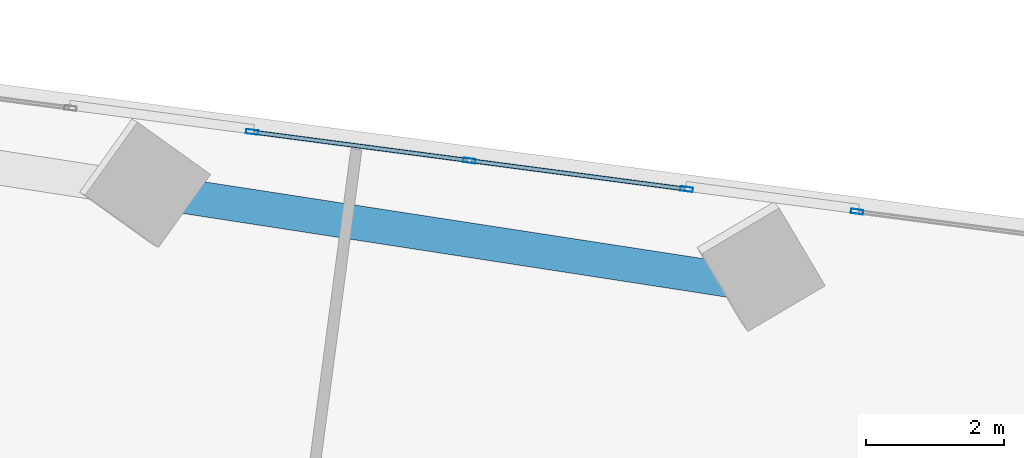
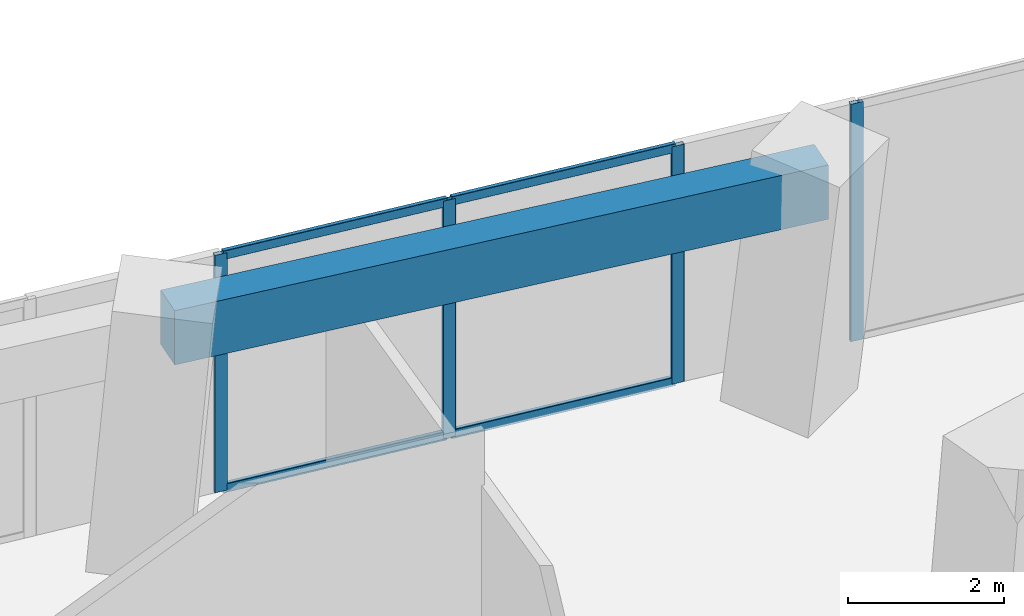
# One storey, part 17 of 24: 8 members, 1 beam, 2 elements without a shape of their own.
"""IFC4 building model written with IfcOpenShell, lengths in metres."""

import ifcopenshell
import ifcopenshell.guid

model = None  # the IFC model being written
_history = None  # IfcOwnerHistory: only IFC2X3 demands one
_inside = {}  # id of a spatial element -> (the spatial element, [elements in it])
_under = {}  # id of a project, library or spatial element -> (it, [spatial elements below it])
_declared = {}  # id of a project -> (the project, [libraries it declares])
_typed = {}  # id of a type object -> (the type object, [elements of that type])
_made_of = {}  # id of a material, layer set ... -> (it, [elements and type objects made of it])


def new_model(schema):
    """Start an empty IFC model of exactly this schema.

    Asked for "IFC4X3", IfcOpenShell would pick the latest addendum, in which some entities
    have other attributes; the version numbers below select the first issue.
    IFC2X3 requires an IfcOwnerHistory on every rooted entity: one is made here for all.
    """
    global model, _history
    if schema == "IFC4X3":
        model = ifcopenshell.file(schema_version=(4, 3, 0, 0))
    else:
        model = ifcopenshell.file(schema=schema)
    _inside.clear()
    _under.clear()
    _declared.clear()
    _typed.clear()
    _made_of.clear()
    _history = None
    if model.schema == "IFC2X3":
        org = make("IfcOrganization", Name="unknown")
        user = make(
            "IfcPersonAndOrganization",
            ThePerson=make("IfcPerson", FamilyName="unknown"),
            TheOrganization=org,
        )
        app = make(
            "IfcApplication",
            ApplicationDeveloper=org,
            Version="unknown",
            ApplicationFullName="unknown",
            ApplicationIdentifier="unknown",
        )
        _history = make(
            "IfcOwnerHistory",
            OwningUser=user,
            OwningApplication=app,
            ChangeAction="ADDED",
            CreationDate=0,
        )
    return model


def make(cls, **values):
    """One entity of the class cls with the attributes given. An attribute that is None is left unset."""
    return model.create_entity(
        cls, **{name: value for name, value in values.items() if value is not None}
    )


def rooted(cls, **values):
    """An entity with a GlobalId (a new one), such as an element, a storey or a relation."""
    return make(cls, GlobalId=ifcopenshell.guid.new(), OwnerHistory=_history, **values)


def si_unit(unit_type, name, prefix=None):
    """IfcSIUnit, for example si_unit("LENGTHUNIT", "METRE", prefix="MILLI")."""
    return make("IfcSIUnit", UnitType=unit_type, Prefix=prefix, Name=name)


def assignment(units):
    """IfcUnitAssignment: the units of a project."""
    return None if units is None else make("IfcUnitAssignment", Units=units)


def point(xyz):
    """IfcCartesianPoint."""
    return None if xyz is None else make("IfcCartesianPoint", Coordinates=xyz)


def direction(xyz):
    """IfcDirection."""
    return None if xyz is None else make("IfcDirection", DirectionRatios=xyz)


def frame(location, z_axis=None, x_axis=None):
    """IfcAxis2Placement3D, a coordinate frame: its origin and axes. An axis left out is left unset."""
    return make(
        "IfcAxis2Placement3D",
        Location=point(location),
        Axis=direction(z_axis),
        RefDirection=direction(x_axis),
    )


def frame_2d(location, x_axis=None):
    """IfcAxis2Placement2D, a coordinate frame in the plane: its origin and x axis."""
    return make(
        "IfcAxis2Placement2D", Location=point(location), RefDirection=direction(x_axis)
    )


def origin():
    """The frame at (0, 0, 0) with its axes left unset."""
    return frame((0.0, 0.0, 0.0))


def origin_2d():
    """The frame at (0, 0) in the plane with its x axis left unset."""
    return frame_2d((0.0, 0.0))


def place(relative_to, where):
    """IfcLocalPlacement: puts the frame where relative to a parent placement (None: the world)."""
    return make(
        "IfcLocalPlacement", PlacementRelTo=relative_to, RelativePlacement=where
    )


def context(
    kind, dimensions, precision=None, world=None, true_north=None, identifier=None
):
    """IfcGeometricRepresentationContext, for example the 3D "Model" context."""
    return make(
        "IfcGeometricRepresentationContext",
        ContextIdentifier=identifier,
        ContextType=kind,
        CoordinateSpaceDimension=dimensions,
        Precision=precision,
        WorldCoordinateSystem=world,
        TrueNorth=true_north,
    )


def subcontext(parent, identifier, kind, view, scale=None):
    """IfcGeometricRepresentationSubContext, for example "Body" below "Model"."""
    return make(
        "IfcGeometricRepresentationSubContext",
        ContextIdentifier=identifier,
        ContextType=kind,
        ParentContext=parent,
        TargetScale=scale,
        TargetView=view,
    )


def project(units=None, contexts=None):
    """IfcProject with its units and contexts."""
    return rooted(
        "IfcProject",
        Name="project",
        RepresentationContexts=contexts,
        UnitsInContext=assignment(units),
    )


def spatial(cls, under=None, at=None, **own):
    """A site, building, storey or space (cls), placed at a placement, below another one or the project."""
    s = rooted(cls, ObjectPlacement=at, **own)
    if under is not None:
        _under.setdefault(under.id(), (under, []))[1].append(s)
    return s


def profile(cls, at=None, kind="AREA", **sizes):
    """A parametric profile (cls). Its sizes go by their IFC names, for example OverallWidth=200.0."""
    return make(cls, ProfileType=kind, Position=at, **sizes)


def rectangle(**sizes):
    """IfcRectangleProfileDef."""
    return profile("IfcRectangleProfileDef", **sizes)


def hollow_rectangle(**sizes):
    """IfcRectangleHollowProfileDef."""
    return profile("IfcRectangleHollowProfileDef", **sizes)


def extrude(swept, where, along, depth):
    """IfcExtrudedAreaSolid: the profile swept, set in the frame where, extruded along a direction by depth."""
    return make(
        "IfcExtrudedAreaSolid",
        SweptArea=swept,
        Position=where,
        ExtrudedDirection=direction(along),
        Depth=depth,
    )


def shape(context_of_items, identifier, shape_type, items):
    """IfcShapeRepresentation: the items that make up one representation, for example the "Body"."""
    return make(
        "IfcShapeRepresentation",
        ContextOfItems=context_of_items,
        RepresentationIdentifier=identifier,
        RepresentationType=shape_type,
        Items=items,
    )


def source(mapping_origin, context_of_items, identifier, shape_type, items):
    """IfcRepresentationMap: a shape defined once, which mapped items show again and again."""
    return make(
        "IfcRepresentationMap",
        MappingOrigin=mapping_origin,
        MappedRepresentation=shape(context_of_items, identifier, shape_type, items),
    )


def transform(
    local_origin,
    x_axis=None,
    y_axis=None,
    z_axis=None,
    scale=None,
    scale2=None,
    scale3=None,
    uniform=True,
):
    """IfcCartesianTransformationOperator3D, or its non-uniform kind. x_axis, y_axis, z_axis: its Axis1, 2, 3."""
    if uniform:
        return make(
            "IfcCartesianTransformationOperator3D",
            Axis1=direction(x_axis),
            Axis2=direction(y_axis),
            LocalOrigin=point(local_origin),
            Scale=scale,
            Axis3=direction(z_axis),
        )
    return make(
        "IfcCartesianTransformationOperator3DnonUniform",
        Axis1=direction(x_axis),
        Axis2=direction(y_axis),
        LocalOrigin=point(local_origin),
        Scale=scale,
        Axis3=direction(z_axis),
        Scale2=scale2,
        Scale3=scale3,
    )


def mapped(mapping_source, mapping_target):
    """IfcMappedItem: shows the shape of a source again, moved by a transform."""
    return make(
        "IfcMappedItem", MappingSource=mapping_source, MappingTarget=mapping_target
    )


def material(Name=None, Category=None):
    """IfcMaterial."""
    return make("IfcMaterial", Name=Name, Category=Category)


def material_profile(
    of_material, cross_section, Name=None, Category=None, Priority=None
):
    """IfcMaterialProfile: a cross section and its material."""
    return make(
        "IfcMaterialProfile",
        Name=Name,
        Material=of_material,
        Profile=cross_section,
        Priority=Priority,
        Category=Category,
    )


def profile_set(profiles, Name=None, composite=None):
    """IfcMaterialProfileSet."""
    return make(
        "IfcMaterialProfileSet",
        Name=Name,
        MaterialProfiles=profiles,
        CompositeProfile=composite,
    )


def made_of(thing, what):
    """Note that an element or type object is made of a material, layer set ...; save() writes the relation."""
    if what is not None:
        _made_of.setdefault(what.id(), (what, []))[1].append(thing)
    return thing


def type_object(cls, material=None, **own):
    """A type object (cls), such as IfcWallType, which elements share."""
    return made_of(rooted(cls, **own), material)


def element(
    cls,
    number,
    at=None,
    inside=None,
    cuts=None,
    type_object=None,
    material=None,
    context=None,
    identifier="Body",
    shape_type=None,
    held_by="IfcProductDefinitionShape",
    body=None,
    shapes=None,
    **own,
):
    """One element of the class cls, such as IfcWall. Its Tag is "e" and its number.

    at: its placement. inside: the storey or other place that contains it. cuts: it is an
    opening in that element (IfcRelVoidsElement). A single representation is given by context,
    identifier, shape_type and body (its items); several are given by shapes. held_by: the class
    of the entity that holds the representations. save() writes the other relations.
    """
    e = rooted(cls, Tag="e%d" % number, ObjectPlacement=at, **own)
    if body is not None:
        shapes = [shape(context, identifier, shape_type, body)]
    if shapes is not None:
        e.Representation = make(held_by, Representations=shapes)
    if inside is not None:
        _inside.setdefault(inside.id(), (inside, []))[1].append(e)
    if cuts is not None:
        rooted(
            "IfcRelVoidsElement", RelatingBuildingElement=cuts, RelatedOpeningElement=e
        )
    if type_object is not None:
        _typed.setdefault(type_object.id(), (type_object, []))[1].append(e)
    return made_of(e, material)


def aggregate(whole, parts):
    """IfcRelAggregates: a whole, such as a stair, and the parts it consists of."""
    return rooted("IfcRelAggregates", RelatingObject=whole, RelatedObjects=parts)


def save(model, path):
    """Write the relations noted so far, then the file.

    IfcRelAggregates (storeys below a building ...), IfcRelContainedInSpatialStructure (elements
    in a storey), IfcRelDefinesByType, IfcRelAssociatesMaterial and IfcRelDeclares: one each for
    every whole, place, type object, material and project.
    """
    for whole, parts in _under.values():
        aggregate(whole, parts)
    for where, things in _inside.values():
        rooted(
            "IfcRelContainedInSpatialStructure",
            RelatedElements=things,
            RelatingStructure=where,
        )
    for kind, things in _typed.values():
        rooted("IfcRelDefinesByType", RelatedObjects=things, RelatingType=kind)
    for what, things in _made_of.values():
        rooted("IfcRelAssociatesMaterial", RelatedObjects=things, RelatingMaterial=what)
    for by, libraries in _declared.values():
        rooted("IfcRelDeclares", RelatingContext=by, RelatedDefinitions=libraries)
    model.write(path)


model = new_model("IFC4")

# Units and contexts
model_context = context("Model", 3, precision=1e-05, world=origin(), true_north=direction((0.0, 1.0)))
body_context = subcontext(model_context, "Body", "Model", "MODEL_VIEW")
ifc_project = project(units=[si_unit("LENGTHUNIT", "METRE"), si_unit("AREAUNIT", "SQUARE_METRE"), si_unit("VOLUMEUNIT", "CUBIC_METRE"), si_unit("PLANEANGLEUNIT", "RADIAN"), si_unit("MASSUNIT", "GRAM", prefix="KILO")], contexts=[model_context])

# Site, building, storey
site_placement = place(None, origin())
site = spatial("IfcSite", under=ifc_project, at=site_placement, CompositionType="ELEMENT")
building_placement = place(site_placement, origin())
building = spatial("IfcBuilding", under=site, at=building_placement, Name="Torre Montelarca", CompositionType="ELEMENT")
storey_placement = place(building_placement, frame((0.0, 0.0, 66.39990234375)))
storey = spatial("IfcBuildingStorey", under=building, at=storey_placement, Name="L14", CompositionType="ELEMENT", Elevation=66.39990234375)

# Beam
ifc_material_1 = material(Name="Concrete C55/67", Category="concrete")
ifc_material_profile_1 = material_profile(ifc_material_1, rectangle(XDim=0.5, YDim=0.85009765625, at=origin_2d()), Name="RCB500X850", Category="concrete")
ifc_profile_set_1 = profile_set([ifc_material_profile_1], Name="Concrete C55/67")
beam_type = type_object("IfcBeamType", Name="BM-SP-RC850-EXT", PredefinedType="SPANDREL", material=ifc_profile_set_1)
shared_shape_1 = source(origin(), body_context, "Body", "SweptSolid", [
    extrude(rectangle(XDim=0.5, YDim=0.85009765625, at=origin_2d()), origin(), (0.0, 0.0, 1.0), 9.0),
])
beam_placement = place(storey_placement, frame((29.24072265625, 46.136962890625, 3.53515625), z_axis=(0.988361032706, -0.152126490227, 0.0), x_axis=(0.152126490227, 0.988361032706, 0.0)))
element("IfcBeam", 1, at=beam_placement, inside=storey, type_object=beam_type, Name="L14 Grid Girder X 27.0-36.0 at Y=47.1", PredefinedType="SPANDREL", context=body_context, shape_type="MappedRepresentation", body=[
    mapped(shared_shape_1, transform((0.0, 0.0, 0.0), scale=1.0)),
])

# Curtain wall, members
ifc_material_2 = material(Name="Insulated low-E laminated glass", Category="glass")
curtain_wall_type = type_object("IfcCurtainWallType", Name="CW-SYS-Z1", PredefinedType="USERDEFINED", material=ifc_material_2)
curtain_wall_1_placement = place(storey_placement, origin())
curtain_wall_1 = element("IfcCurtainWall", 2, at=curtain_wall_1_placement, inside=storey, type_object=curtain_wall_type, Name="L14 Curtain Wall Run CW-T3-L14-E08-B2", ObjectType="UNITISED GLAZING", PredefinedType="USERDEFINED")
ifc_material_3 = material(Name="Anodised aluminium AA 6063-T6", Category="aluminium")
ifc_material_profile_2 = material_profile(ifc_material_3, hollow_rectangle(XDim=0.06494140625, YDim=0.139892578125, WallThickness=0.00390625, InnerFilletRadius=0.00390625, OuterFilletRadius=0.008056640625, at=origin_2d()), Name="ALU65X140X4", Category="aluminium")
ifc_profile_set_2 = profile_set([ifc_material_profile_2], Name="Anodised aluminium AA 6063-T6")
member_type_1 = type_object("IfcMemberType", Name="CWT-ALU140", PredefinedType="USERDEFINED", material=ifc_profile_set_2)
shared_shape_2 = source(origin(), body_context, "Body", "SweptSolid", [
    extrude(hollow_rectangle(XDim=0.06494140625, YDim=0.139892578125, WallThickness=0.00390625, InnerFilletRadius=0.00390625, OuterFilletRadius=0.008056640625, at=origin_2d()), origin(), (0.0, 0.0, 1.0), 3.10791015625),
])
member_1_placement = place(storey_placement, frame((36.788818359375, 46.19580078125, 0.03271484375), z_axis=(-0.99144065399, 0.130558146496, 0.0), x_axis=(-0.130558146496, -0.99144065399, 0.0)))
member_1 = element("IfcMember", 3, at=member_1_placement, type_object=member_type_1, Name="CW transom 1.1", ObjectType="TRANSOM", PredefinedType="USERDEFINED", context=body_context, shape_type="MappedRepresentation", body=[
    mapped(shared_shape_2, transform((0.0, 0.0, 0.0), scale=1.0)),
])
member_2_placement = place(storey_placement, frame((36.788818359375, 46.19580078125, 3.6875), z_axis=(-0.99144065399, 0.130558146496, 0.0), x_axis=(-0.130558146496, -0.99144065399, 0.0)))
member_2 = element("IfcMember", 4, at=member_2_placement, type_object=member_type_1, Name="CW transom 1.2", ObjectType="TRANSOM", PredefinedType="USERDEFINED", context=body_context, shape_type="MappedRepresentation", body=[
    mapped(shared_shape_2, transform((0.0, 0.0, 0.0), scale=1.0)),
])
member_3_placement = place(storey_placement, frame((33.64306640625, 46.610107421875, 0.03271484375), z_axis=(-0.991450819277, 0.130480929468, 0.0), x_axis=(-0.130480929468, -0.991450819277, 0.0)))
member_3 = element("IfcMember", 5, at=member_3_placement, type_object=member_type_1, Name="CW transom 2.1", ObjectType="TRANSOM", PredefinedType="USERDEFINED", context=body_context, shape_type="MappedRepresentation", body=[
    mapped(shared_shape_2, transform((0.0, 0.0, 0.0), scale=1.0)),
])
member_4_placement = place(storey_placement, frame((33.64306640625, 46.610107421875, 3.6875), z_axis=(-0.991450819277, 0.130480929468, 0.0), x_axis=(-0.130480929468, -0.991450819277, 0.0)))
member_4 = element("IfcMember", 6, at=member_4_placement, type_object=member_type_1, Name="CW transom 2.2", ObjectType="TRANSOM", PredefinedType="USERDEFINED", context=body_context, shape_type="MappedRepresentation", body=[
    mapped(shared_shape_2, transform((0.0, 0.0, 0.0), scale=1.0)),
])

# Curtain wall, member
curtain_wall_2_placement = place(storey_placement, origin())
curtain_wall_2 = element("IfcCurtainWall", 7, at=curtain_wall_2_placement, inside=storey, type_object=curtain_wall_type, Name="L14 Curtain Wall Run CW-T3-L14-E08-B1", ObjectType="UNITISED GLAZING", PredefinedType="USERDEFINED")
ifc_material_profile_3 = material_profile(ifc_material_3, hollow_rectangle(XDim=0.06494140625, YDim=0.179931640625, WallThickness=0.00390625, InnerFilletRadius=0.00390625, OuterFilletRadius=0.008056640625, at=origin_2d()), Name="ALU65X180X4", Category="aluminium")
ifc_profile_set_3 = profile_set([ifc_material_profile_3], Name="Anodised aluminium AA 6063-T6")
member_type_2 = type_object("IfcMemberType", Name="CWM-ALU180", PredefinedType="MULLION", material=ifc_profile_set_3)
shared_shape_3 = source(origin(), body_context, "Body", "SweptSolid", [
    extrude(hollow_rectangle(XDim=0.06494140625, YDim=0.179931640625, WallThickness=0.00390625, InnerFilletRadius=0.00390625, OuterFilletRadius=0.008056640625, at=origin_2d()), origin(), (0.0, 0.0, 1.0), 3.72021484375),
])
member_5_placement = place(storey_placement, frame((39.2880859375, 45.866943359375, 0.0), z_axis=(0.0, 0.0, 1.0), x_axis=(-0.130524544449, -0.991445078306, 0.0)))
member_5 = element("IfcMember", 8, at=member_5_placement, type_object=member_type_2, Name="CW mullion 3", PredefinedType="MULLION", context=body_context, shape_type="MappedRepresentation", body=[
    mapped(shared_shape_3, transform((0.0, 0.0, 0.0), scale=1.0)),
])
aggregate(curtain_wall_2, [member_5])

# Member
member_6_placement = place(storey_placement, frame((36.821044921875, 46.191650390625, 0.0), z_axis=(0.0, 0.0, 1.0), x_axis=(-0.13053077535, -0.991444257983, 0.0)))
member_6 = element("IfcMember", 9, at=member_6_placement, type_object=member_type_2, Name="CW mullion 1", PredefinedType="MULLION", context=body_context, shape_type="MappedRepresentation", body=[
    mapped(shared_shape_3, transform((0.0, 0.0, 0.0), scale=1.0)),
])

member_7_placement = place(storey_placement, frame((33.67529296875, 46.605712890625, 0.0), z_axis=(0.0, 0.0, 1.0), x_axis=(-0.13053077535, -0.991444257983, 0.0)))
member_7 = element("IfcMember", 10, at=member_7_placement, type_object=member_type_2, Name="CW mullion 2", PredefinedType="MULLION", context=body_context, shape_type="MappedRepresentation", body=[
    mapped(shared_shape_3, transform((0.0, 0.0, 0.0), scale=1.0)),
])

member_8_placement = place(storey_placement, frame((30.529541015625, 47.02001953125, 0.0), z_axis=(0.0, 0.0, 1.0), x_axis=(-0.13053077535, -0.991444257983, 0.0)))
member_8 = element("IfcMember", 11, at=member_8_placement, type_object=member_type_2, Name="CW mullion 3", PredefinedType="MULLION", context=body_context, shape_type="MappedRepresentation", body=[
    mapped(shared_shape_3, transform((0.0, 0.0, 0.0), scale=1.0)),
])

aggregate(curtain_wall_1, [member_6, member_7, member_8, member_1, member_2, member_3, member_4])

save(model, "model.ifc")
